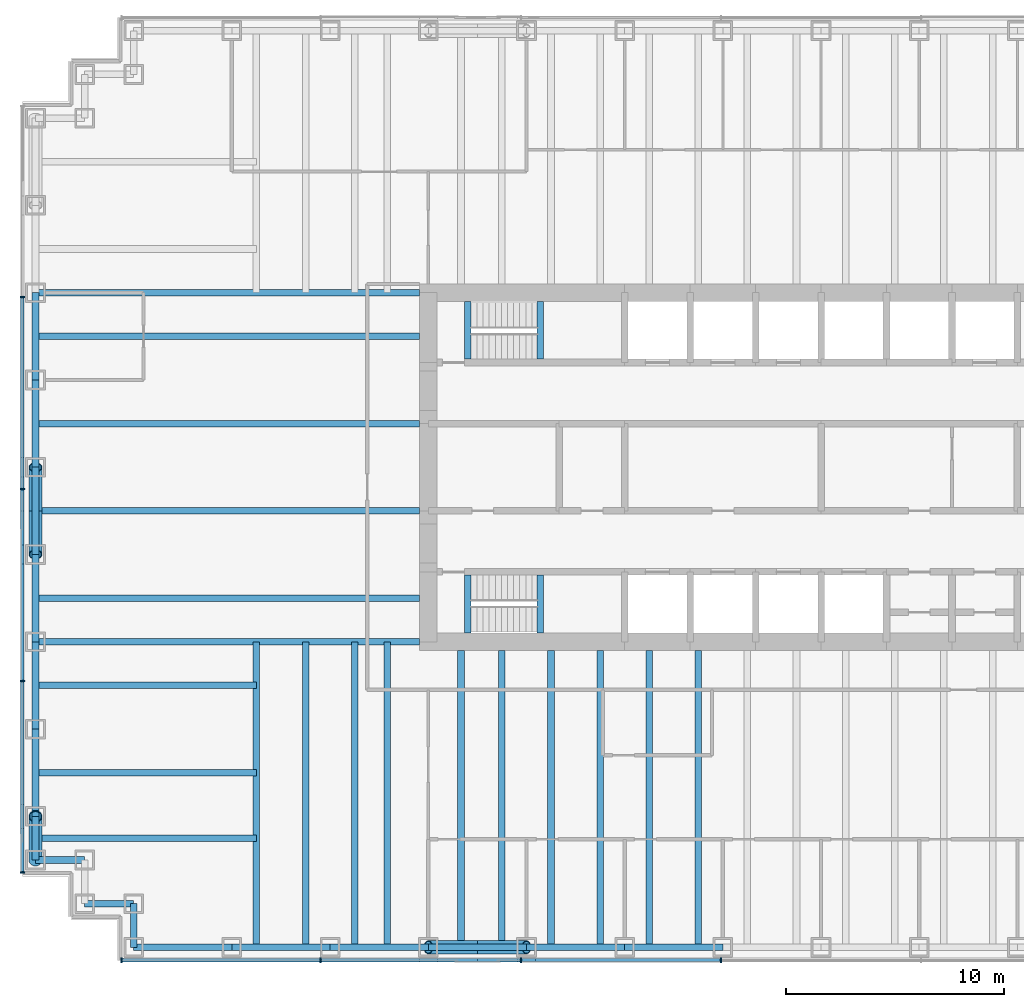
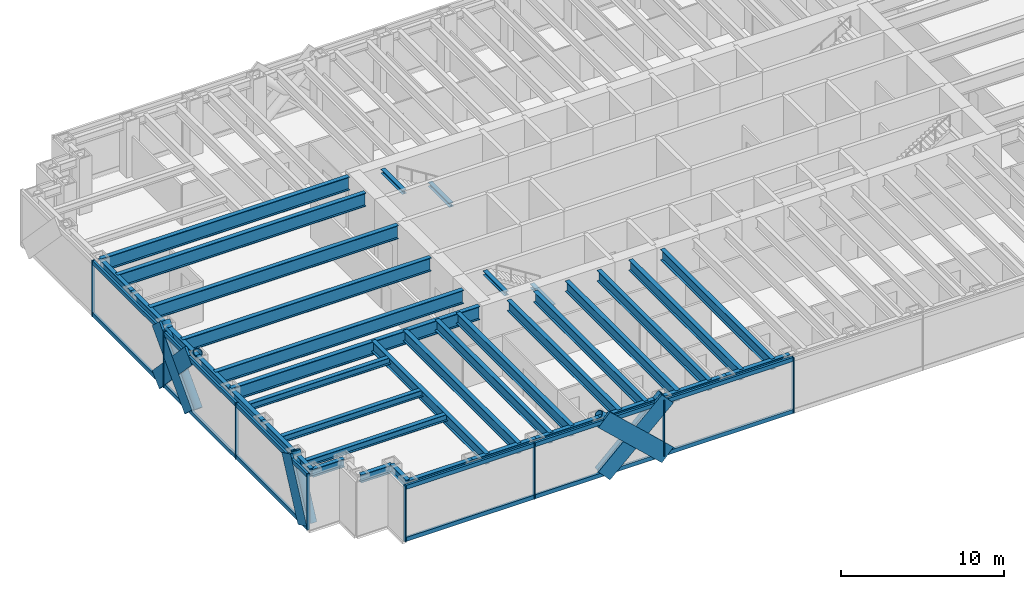
# One storey, part 2 of 14: 39 beams, 30 members, 2 elements without a shape of their own.
"""IFC4 building model written with IfcOpenShell, lengths in metres."""

from ifc_helpers import new_model, si_unit, direction, frame, origin, origin_2d, place, context, subcontext, project, spatial, rectangle, hollow_circle, i_section, extrude, material, material_profile, profile_set, type_object, element, aggregate, save


model = new_model("IFC4")

# Units and contexts
model_context = context("Model", 3, precision=1e-05, world=origin(), true_north=direction((0.0, 1.0)))
body_context = subcontext(model_context, "Body", "Model", "MODEL_VIEW")
ifc_project = project(units=[si_unit("LENGTHUNIT", "METRE"), si_unit("AREAUNIT", "SQUARE_METRE"), si_unit("VOLUMEUNIT", "CUBIC_METRE"), si_unit("PLANEANGLEUNIT", "RADIAN"), si_unit("MASSUNIT", "GRAM", prefix="KILO")], contexts=[model_context])

# Site, building, storey
site_placement = place(None, origin())
site = spatial("IfcSite", under=ifc_project, at=site_placement, CompositionType="ELEMENT")
building_placement = place(site_placement, origin())
building = spatial("IfcBuilding", under=site, at=building_placement, Name="Rheinbord Bourse Tower", CompositionType="ELEMENT")
storey_placement = place(building_placement, frame((0.0, 0.0, 198.39990234375)))
storey = spatial("IfcBuildingStorey", under=building, at=storey_placement, Name="L44", CompositionType="ELEMENT", Elevation=198.39990234375)

# Curtain wall, members
ifc_material_1 = material(Name="Dark glass and black aluminium", Category="aluminium")
curtain_wall_type = type_object("IfcCurtainWallType", Name="CW2 DARK GLASS CURTAIN WALL", PredefinedType="USERDEFINED", material=ifc_material_1)
curtain_wall_1_placement = place(storey_placement, origin())
curtain_wall_1 = element("IfcCurtainWall", 1, at=curtain_wall_1_placement, inside=storey, type_object=curtain_wall_type, Name="Curtain wall CW2 S L44", ObjectType="UNITISED CURTAIN WALL", PredefinedType="USERDEFINED")
ifc_material_2 = material(Name="Black anodised aluminium", Category="aluminium")
ifc_material_profile_1 = material_profile(ifc_material_2, rectangle(XDim=0.159912109375, YDim=1.2099609375, at=origin_2d()), Name="CW2 DIAGONAL MULLION 1210x160")
ifc_profile_set_1 = profile_set([ifc_material_profile_1], Name="Black anodised aluminium")
member_type_1 = type_object("IfcMemberType", Name="CW2 BLACK DIAGONAL MULLION", PredefinedType="USERDEFINED", material=ifc_profile_set_1)
member_1_placement = place(storey_placement, frame((18.0, 1.39990234375, 0.0), z_axis=(0.731039441158, 0.0, 0.682335207557), x_axis=(0.0, 1.0, 0.0)))
member_1 = element("IfcMember", 2, at=member_1_placement, type_object=member_type_1, Name="CW2 diagonal mullion b", ObjectType="DIAGONAL MULLION", PredefinedType="USERDEFINED", context=body_context, shape_type="SweptSolid", body=[
    extrude(rectangle(XDim=0.159912109375, YDim=1.2099609375, at=origin_2d()), origin(), (0.0, 0.0, 1.0), 6.155517578125),
])
member_2_placement = place(storey_placement, frame((22.5, 1.39990234375, 0.0), z_axis=(-0.731039441158, 0.0, 0.682335207557), x_axis=(0.0, -1.0, 0.0)))
member_2 = element("IfcMember", 3, at=member_2_placement, type_object=member_type_1, Name="CW2 diagonal mullion c", ObjectType="DIAGONAL MULLION", PredefinedType="USERDEFINED", context=body_context, shape_type="SweptSolid", body=[
    extrude(rectangle(XDim=0.159912109375, YDim=1.2099609375, at=origin_2d()), origin(), (0.0, 0.0, 1.0), 6.155517578125),
])

curtain_wall_2_placement = place(storey_placement, origin())
curtain_wall_2 = element("IfcCurtainWall", 4, at=curtain_wall_2_placement, inside=storey, type_object=curtain_wall_type, Name="Curtain wall CW2 W L44", ObjectType="UNITISED CURTAIN WALL", PredefinedType="USERDEFINED")
member_3_placement = place(storey_placement, frame((-0.60009765625, 6.0, 0.0), z_axis=(0.0, 0.429917283348, 0.902868279141), x_axis=(-1.0, 0.0, 0.0)))
member_3 = element("IfcMember", 5, at=member_3_placement, type_object=member_type_1, Name="CW2 diagonal mullion b", ObjectType="DIAGONAL MULLION", PredefinedType="USERDEFINED", context=body_context, shape_type="SweptSolid", body=[
    extrude(rectangle(XDim=0.159912109375, YDim=1.2099609375, at=origin_2d()), origin(), (0.0, 0.0, 1.0), 4.652099609375),
])
member_4_placement = place(storey_placement, frame((-0.60009765625, 24.0, 0.0), z_axis=(0.0, -0.689638355374, 0.72415394689), x_axis=(1.0, 0.0, 0.0)))
member_4 = element("IfcMember", 6, at=member_4_placement, type_object=member_type_1, Name="CW2 diagonal mullion c", ObjectType="DIAGONAL MULLION", PredefinedType="USERDEFINED", context=body_context, shape_type="SweptSolid", body=[
    extrude(rectangle(XDim=0.159912109375, YDim=1.2099609375, at=origin_2d()), origin(), (0.0, 0.0, 1.0), 5.800048828125),
])
member_5_placement = place(storey_placement, frame((-0.60009765625, 20.0, 0.0), z_axis=(0.0, 0.689638355374, 0.72415394689), x_axis=(-1.0, 0.0, 0.0)))
member_5 = element("IfcMember", 7, at=member_5_placement, type_object=member_type_1, Name="CW2 diagonal mullion d", ObjectType="DIAGONAL MULLION", PredefinedType="USERDEFINED", context=body_context, shape_type="SweptSolid", body=[
    extrude(rectangle(XDim=0.159912109375, YDim=1.2099609375, at=origin_2d()), origin(), (0.0, 0.0, 1.0), 5.800048828125),
])

# Member
ifc_material_3 = material(Name="Black anodised aluminium", Category="aluminium")
ifc_material_profile_2 = material_profile(ifc_material_3, rectangle(XDim=0.219970703125, YDim=0.070068359375, at=origin_2d()), Name="CW2 MULLION 70x220")
ifc_profile_set_2 = profile_set([ifc_material_profile_2], Name="Black anodised aluminium")
member_type_2 = type_object("IfcMemberType", Name="CW2 BLACK MULLION", PredefinedType="MULLION", material=ifc_profile_set_2)
member_6_placement = place(storey_placement, frame((3.93505859375, 1.39990234375, 0.0), z_axis=(0.0, 0.0, 1.0), x_axis=(0.0, 1.0, 0.0)))
member_6 = element("IfcMember", 8, at=member_6_placement, type_object=member_type_2, Name="CW2 mullion 1", PredefinedType="MULLION", context=body_context, shape_type="SweptSolid", body=[
    extrude(rectangle(XDim=0.219970703125, YDim=0.070068359375, at=origin_2d()), origin(), (0.0, 0.0, 1.0), 4.2001953125),
])

member_7_placement = place(storey_placement, frame((13.071533203125, 1.39990234375, 0.0), z_axis=(0.0, 0.0, 1.0), x_axis=(0.0, 1.0, 0.0)))
member_7 = element("IfcMember", 9, at=member_7_placement, type_object=member_type_2, Name="CW2 mullion 2", PredefinedType="MULLION", context=body_context, shape_type="SweptSolid", body=[
    extrude(rectangle(XDim=0.219970703125, YDim=0.070068359375, at=origin_2d()), origin(), (0.0, 0.0, 1.0), 4.2001953125),
])

member_8_placement = place(storey_placement, frame((22.242919921875, 1.39990234375, 0.0), z_axis=(0.0, 0.0, 1.0), x_axis=(0.0, 1.0, 0.0)))
member_8 = element("IfcMember", 10, at=member_8_placement, type_object=member_type_2, Name="CW2 mullion 3", PredefinedType="MULLION", context=body_context, shape_type="SweptSolid", body=[
    extrude(rectangle(XDim=0.219970703125, YDim=0.070068359375, at=origin_2d()), origin(), (0.0, 0.0, 1.0), 4.2001953125),
])

member_9_placement = place(storey_placement, frame((31.414306640625, 1.39990234375, 0.0), z_axis=(0.0, 0.0, 1.0), x_axis=(0.0, 1.0, 0.0)))
member_9 = element("IfcMember", 11, at=member_9_placement, type_object=member_type_2, Name="CW2 mullion 4", PredefinedType="MULLION", context=body_context, shape_type="SweptSolid", body=[
    extrude(rectangle(XDim=0.219970703125, YDim=0.070068359375, at=origin_2d()), origin(), (0.0, 0.0, 1.0), 4.2001953125),
])

member_10_placement = place(storey_placement, frame((-0.60009765625, 31.800048828125, 0.0), z_axis=(0.0, 0.0, 1.0), x_axis=(1.0, 0.0, 0.0)))
member_10 = element("IfcMember", 12, at=member_10_placement, type_object=member_type_2, Name="CW2 mullion 2", PredefinedType="MULLION", context=body_context, shape_type="SweptSolid", body=[
    extrude(rectangle(XDim=0.219970703125, YDim=0.070068359375, at=origin_2d()), origin(), (0.0, 0.0, 1.0), 4.2001953125),
])

member_11_placement = place(storey_placement, frame((-0.60009765625, 23.0, 0.0), z_axis=(0.0, 0.0, 1.0), x_axis=(1.0, 0.0, 0.0)))
member_11 = element("IfcMember", 13, at=member_11_placement, type_object=member_type_2, Name="CW2 mullion 3", PredefinedType="MULLION", context=body_context, shape_type="SweptSolid", body=[
    extrude(rectangle(XDim=0.219970703125, YDim=0.070068359375, at=origin_2d()), origin(), (0.0, 0.0, 1.0), 4.2001953125),
])

member_12_placement = place(storey_placement, frame((-0.60009765625, 14.199951171875, 0.0), z_axis=(0.0, 0.0, 1.0), x_axis=(1.0, 0.0, 0.0)))
member_12 = element("IfcMember", 14, at=member_12_placement, type_object=member_type_2, Name="CW2 mullion 4", PredefinedType="MULLION", context=body_context, shape_type="SweptSolid", body=[
    extrude(rectangle(XDim=0.219970703125, YDim=0.070068359375, at=origin_2d()), origin(), (0.0, 0.0, 1.0), 4.2001953125),
])

member_13_placement = place(storey_placement, frame((-0.60009765625, 5.43505859375, 0.0), z_axis=(0.0, 0.0, 1.0), x_axis=(1.0, 0.0, 0.0)))
member_13 = element("IfcMember", 15, at=member_13_placement, type_object=member_type_2, Name="CW2 mullion 5", PredefinedType="MULLION", context=body_context, shape_type="SweptSolid", body=[
    extrude(rectangle(XDim=0.219970703125, YDim=0.070068359375, at=origin_2d()), origin(), (0.0, 0.0, 1.0), 4.2001953125),
])

ifc_material_4 = material(Name="Black anodised aluminium", Category="aluminium")
ifc_material_profile_3 = material_profile(ifc_material_4, rectangle(XDim=0.159912109375, YDim=0.300048828125, at=origin_2d()), Name="CW2 TRANSOM 300x160")
ifc_profile_set_3 = profile_set([ifc_material_profile_3], Name="Black anodised aluminium")
member_type_3 = type_object("IfcMemberType", Name="CW2 BLACK TRANSOM", PredefinedType="USERDEFINED", material=ifc_profile_set_3)
member_14_placement = place(storey_placement, frame((3.969970703125, 1.39990234375, 0.150146484375), z_axis=(1.0, 0.0, 0.0), x_axis=(0.0, 1.0, 0.0)))
member_14 = element("IfcMember", 16, at=member_14_placement, type_object=member_type_3, Name="CW2 transom 1.1", ObjectType="TRANSOM", PredefinedType="USERDEFINED", context=body_context, shape_type="SweptSolid", body=[
    extrude(rectangle(XDim=0.159912109375, YDim=0.300048828125, at=origin_2d()), origin(), (0.0, 0.0, 1.0), 9.06640625),
])

member_15_placement = place(storey_placement, frame((3.969970703125, 1.39990234375, 4.050048828125), z_axis=(1.0, 0.0, 0.0), x_axis=(0.0, 1.0, 0.0)))
member_15 = element("IfcMember", 17, at=member_15_placement, type_object=member_type_3, Name="CW2 transom 1.2", ObjectType="TRANSOM", PredefinedType="USERDEFINED", context=body_context, shape_type="SweptSolid", body=[
    extrude(rectangle(XDim=0.159912109375, YDim=0.300048828125, at=origin_2d()), origin(), (0.0, 0.0, 1.0), 9.06640625),
])

member_16_placement = place(storey_placement, frame((13.1064453125, 1.39990234375, 0.150146484375), z_axis=(1.0, 0.0, 0.0), x_axis=(0.0, 1.0, 0.0)))
member_16 = element("IfcMember", 18, at=member_16_placement, type_object=member_type_3, Name="CW2 transom 2.1", ObjectType="TRANSOM", PredefinedType="USERDEFINED", context=body_context, shape_type="SweptSolid", body=[
    extrude(rectangle(XDim=0.159912109375, YDim=0.300048828125, at=origin_2d()), origin(), (0.0, 0.0, 1.0), 9.101318359375),
])

member_17_placement = place(storey_placement, frame((13.1064453125, 1.39990234375, 4.050048828125), z_axis=(1.0, 0.0, 0.0), x_axis=(0.0, 1.0, 0.0)))
member_17 = element("IfcMember", 19, at=member_17_placement, type_object=member_type_3, Name="CW2 transom 2.2", ObjectType="TRANSOM", PredefinedType="USERDEFINED", context=body_context, shape_type="SweptSolid", body=[
    extrude(rectangle(XDim=0.159912109375, YDim=0.300048828125, at=origin_2d()), origin(), (0.0, 0.0, 1.0), 9.101318359375),
])

member_18_placement = place(storey_placement, frame((22.27783203125, 1.39990234375, 0.150146484375), z_axis=(1.0, 0.0, 0.0), x_axis=(0.0, 1.0, 0.0)))
member_18 = element("IfcMember", 20, at=member_18_placement, type_object=member_type_3, Name="CW2 transom 3.1", ObjectType="TRANSOM", PredefinedType="USERDEFINED", context=body_context, shape_type="SweptSolid", body=[
    extrude(rectangle(XDim=0.159912109375, YDim=0.300048828125, at=origin_2d()), origin(), (0.0, 0.0, 1.0), 9.1015625),
])

member_19_placement = place(storey_placement, frame((22.27783203125, 1.39990234375, 4.050048828125), z_axis=(1.0, 0.0, 0.0), x_axis=(0.0, 1.0, 0.0)))
member_19 = element("IfcMember", 21, at=member_19_placement, type_object=member_type_3, Name="CW2 transom 3.2", ObjectType="TRANSOM", PredefinedType="USERDEFINED", context=body_context, shape_type="SweptSolid", body=[
    extrude(rectangle(XDim=0.159912109375, YDim=0.300048828125, at=origin_2d()), origin(), (0.0, 0.0, 1.0), 9.1015625),
])

aggregate(curtain_wall_1, [member_6, member_7, member_8, member_9, member_14, member_15, member_16, member_17, member_18, member_19, member_1, member_2])

member_20_placement = place(storey_placement, frame((-0.60009765625, 31.764892578125, 0.150146484375), z_axis=(0.0, -1.0, 0.0), x_axis=(1.0, 0.0, 0.0)))
member_20 = element("IfcMember", 22, at=member_20_placement, type_object=member_type_3, Name="CW2 transom 2.1", ObjectType="TRANSOM", PredefinedType="USERDEFINED", context=body_context, shape_type="SweptSolid", body=[
    extrude(rectangle(XDim=0.159912109375, YDim=0.300048828125, at=origin_2d()), origin(), (0.0, 0.0, 1.0), 8.72998046875),
])

member_21_placement = place(storey_placement, frame((-0.60009765625, 31.764892578125, 4.050048828125), z_axis=(0.0, -1.0, 0.0), x_axis=(1.0, 0.0, 0.0)))
member_21 = element("IfcMember", 23, at=member_21_placement, type_object=member_type_3, Name="CW2 transom 2.2", ObjectType="TRANSOM", PredefinedType="USERDEFINED", context=body_context, shape_type="SweptSolid", body=[
    extrude(rectangle(XDim=0.159912109375, YDim=0.300048828125, at=origin_2d()), origin(), (0.0, 0.0, 1.0), 8.72998046875),
])

member_22_placement = place(storey_placement, frame((-0.60009765625, 22.965087890625, 0.150146484375), z_axis=(0.0, -1.0, 0.0), x_axis=(1.0, 0.0, 0.0)))
member_22 = element("IfcMember", 24, at=member_22_placement, type_object=member_type_3, Name="CW2 transom 3.1", ObjectType="TRANSOM", PredefinedType="USERDEFINED", context=body_context, shape_type="SweptSolid", body=[
    extrude(rectangle(XDim=0.159912109375, YDim=0.300048828125, at=origin_2d()), origin(), (0.0, 0.0, 1.0), 8.72998046875),
])

member_23_placement = place(storey_placement, frame((-0.60009765625, 22.965087890625, 4.050048828125), z_axis=(0.0, -1.0, 0.0), x_axis=(1.0, 0.0, 0.0)))
member_23 = element("IfcMember", 25, at=member_23_placement, type_object=member_type_3, Name="CW2 transom 3.2", ObjectType="TRANSOM", PredefinedType="USERDEFINED", context=body_context, shape_type="SweptSolid", body=[
    extrude(rectangle(XDim=0.159912109375, YDim=0.300048828125, at=origin_2d()), origin(), (0.0, 0.0, 1.0), 8.72998046875),
])

member_24_placement = place(storey_placement, frame((-0.60009765625, 14.1650390625, 0.150146484375), z_axis=(0.0, -1.0, 0.0), x_axis=(1.0, 0.0, 0.0)))
member_24 = element("IfcMember", 26, at=member_24_placement, type_object=member_type_3, Name="CW2 transom 4.1", ObjectType="TRANSOM", PredefinedType="USERDEFINED", context=body_context, shape_type="SweptSolid", body=[
    extrude(rectangle(XDim=0.159912109375, YDim=0.300048828125, at=origin_2d()), origin(), (0.0, 0.0, 1.0), 8.695068359375),
])

member_25_placement = place(storey_placement, frame((-0.60009765625, 14.1650390625, 4.050048828125), z_axis=(0.0, -1.0, 0.0), x_axis=(1.0, 0.0, 0.0)))
member_25 = element("IfcMember", 27, at=member_25_placement, type_object=member_type_3, Name="CW2 transom 4.2", ObjectType="TRANSOM", PredefinedType="USERDEFINED", context=body_context, shape_type="SweptSolid", body=[
    extrude(rectangle(XDim=0.159912109375, YDim=0.300048828125, at=origin_2d()), origin(), (0.0, 0.0, 1.0), 8.695068359375),
])

aggregate(curtain_wall_2, [member_10, member_11, member_12, member_13, member_20, member_21, member_22, member_23, member_24, member_25, member_3, member_4, member_5])

# Beams
ifc_material_5 = material(Name="Steel S460", Category="steel")
ifc_material_profile_4 = material_profile(ifc_material_5, i_section(OverallWidth=0.302001953125, OverallDepth=1.008056640625, WebThickness=0.02099609375, FlangeThickness=0.0400390625, at=origin_2d()), Name="HEM 1000")
ifc_profile_set_4 = profile_set([ifc_material_profile_4], Name="Steel S460")
beam_type_1 = type_object("IfcBeamType", Name="END BEAM HEM 1000", PredefinedType="BEAM", material=ifc_profile_set_4)
for number, where, z_axis, x_axis, name in (
    (28, (0.0, 18.0, 3.5361328125), (1.0, 0.0, 0.0), (0.0, 1.0, 0.0), "End beam west 18 L45"),
    (29, (0.0, 22.0, 3.5361328125), (1.0, 0.0, 0.0), (0.0, 1.0, 0.0), "End beam west 22 L45"),
    (30, (0.0, 26.0, 3.5361328125), (1.0, 0.0, 0.0), (0.0, 1.0, 0.0), "End beam west 26 L45"),
    (31, (0.0, 30.0, 3.5361328125), (1.0, 0.0, 0.0), (0.0, 1.0, 0.0), "End beam west 30 L45"),
):
    element("IfcBeam", number, at=place(storey_placement, frame(where, z_axis=z_axis, x_axis=x_axis)), inside=storey, type_object=beam_type_1, Name=name, PredefinedType="BEAM", context=body_context, shape_type="SweptSolid", body=[
        extrude(i_section(OverallWidth=0.302001953125, OverallDepth=1.008056640625, WebThickness=0.02099609375, FlangeThickness=0.0400390625, at=origin_2d()), origin(), (0.0, 0.0, 1.0), 17.60009765625),
    ])
ifc_material_6 = material(Name="Steel S460", Category="steel")
ifc_material_profile_5 = material_profile(ifc_material_6, i_section(OverallWidth=0.300048828125, OverallDepth=0.800048828125, WebThickness=0.017578125, FlangeThickness=0.032958984375, at=origin_2d()), Name="HEB 800")
ifc_profile_set_5 = profile_set([ifc_material_profile_5], Name="Steel S460")
beam_type_2 = type_object("IfcBeamType", Name="FLOOR BEAM HEB 800", PredefinedType="BEAM", material=ifc_profile_set_5)
for number, where, z_axis, x_axis, name in (
    (32, (10.125, 2.0, 3.64013671875), (0.0, 1.0, 0.0), (-1.0, 0.0, 0.0), "Floor beam S-9a L45"),
    (33, (12.375, 2.0, 3.64013671875), (0.0, 1.0, 0.0), (-1.0, 0.0, 0.0), "Floor beam S-9b L45"),
    (34, (14.625, 2.0, 3.64013671875), (0.0, 1.0, 0.0), (-1.0, 0.0, 0.0), "Floor beam S-13.5a L45"),
    (35, (16.125, 2.0, 3.64013671875), (0.0, 1.0, 0.0), (-1.0, 0.0, 0.0), "Floor beam S-13.5b L45"),
):
    element("IfcBeam", number, at=place(storey_placement, frame(where, z_axis=z_axis, x_axis=x_axis)), inside=storey, type_object=beam_type_2, Name=name, PredefinedType="BEAM", context=body_context, shape_type="SweptSolid", body=[
        extrude(i_section(OverallWidth=0.300048828125, OverallDepth=0.800048828125, WebThickness=0.017578125, FlangeThickness=0.032958984375, at=origin_2d()), origin(), (0.0, 0.0, 1.0), 14.0),
    ])
for number, where, z_axis, x_axis, name in (
    (36, (19.5, 2.0, 3.64013671875), (0.0, 1.0, 0.0), (-1.0, 0.0, 0.0), "Floor beam S-18a L45"),
    (37, (21.375, 2.0, 3.64013671875), (0.0, 1.0, 0.0), (-1.0, 0.0, 0.0), "Floor beam S-18b L45"),
    (38, (23.625, 2.0, 3.64013671875), (0.0, 1.0, 0.0), (-1.0, 0.0, 0.0), "Floor beam S-22.5a L45"),
    (39, (25.875, 2.0, 3.64013671875), (0.0, 1.0, 0.0), (-1.0, 0.0, 0.0), "Floor beam S-22.5b L45"),
    (40, (28.125, 2.0, 3.64013671875), (0.0, 1.0, 0.0), (-1.0, 0.0, 0.0), "Floor beam S-27a L45"),
    (41, (30.375, 2.0, 3.64013671875), (0.0, 1.0, 0.0), (-1.0, 0.0, 0.0), "Floor beam S-27b L45"),
):
    element("IfcBeam", number, at=place(storey_placement, frame(where, z_axis=z_axis, x_axis=x_axis)), inside=storey, type_object=beam_type_2, Name=name, PredefinedType="BEAM", context=body_context, shape_type="SweptSolid", body=[
        extrude(i_section(OverallWidth=0.300048828125, OverallDepth=0.800048828125, WebThickness=0.017578125, FlangeThickness=0.032958984375, at=origin_2d()), origin(), (0.0, 0.0, 1.0), 13.60009765625),
    ])
ifc_material_7 = material(Name="Steel S460", Category="steel")
ifc_material_profile_6 = material_profile(ifc_material_7, i_section(OverallWidth=0.302001953125, OverallDepth=1.008056640625, WebThickness=0.02099609375, FlangeThickness=0.0400390625, at=origin_2d()), Name="HEM 1000")
ifc_profile_set_6 = profile_set([ifc_material_profile_6], Name="Steel S460")
beam_type_3 = type_object("IfcBeamType", Name="GIRDER HEM 1000", PredefinedType="BEAM", material=ifc_profile_set_6)
for number, where, z_axis, x_axis, name in (
    (42, (0.0, 16.0, 3.5361328125), (1.0, 0.0, 0.0), (0.0, 1.0, 0.0), "Girder west 16 L45"),
    (43, (0.0, 32.0, 3.5361328125), (1.0, 0.0, 0.0), (0.0, 1.0, 0.0), "Girder west 32 L45"),
):
    element("IfcBeam", number, at=place(storey_placement, frame(where, z_axis=z_axis, x_axis=x_axis)), inside=storey, type_object=beam_type_3, Name=name, PredefinedType="BEAM", context=body_context, shape_type="SweptSolid", body=[
        extrude(i_section(OverallWidth=0.302001953125, OverallDepth=1.008056640625, WebThickness=0.02099609375, FlangeThickness=0.0400390625, at=origin_2d()), origin(), (0.0, 0.0, 1.0), 17.60009765625),
    ])
ifc_material_8 = material(Name="Steel S460", Category="steel")
ifc_material_profile_7 = material_profile(ifc_material_8, i_section(OverallWidth=0.300048828125, OverallDepth=0.300048828125, WebThickness=0.010986328125, FlangeThickness=0.01904296875, at=origin_2d()), Name="HEB 300")
ifc_profile_set_7 = profile_set([ifc_material_profile_7], Name="Steel S460")
beam_type_4 = type_object("IfcBeamType", Name="LANDING TRIMMER HEB 300", PredefinedType="BEAM", material=ifc_profile_set_7)
for number, where, z_axis, x_axis, name in (
    (44, (23.1298828125, 16.39990234375, 1.75), (0.0, 1.0, 0.0), (-1.0, 0.0, 0.0), "Landing trimmer ST1 L44"),
    (45, (19.800048828125, 16.39990234375, 3.89013671875), (0.0, 1.0, 0.0), (-1.0, 0.0, 0.0), "Well trimmer ST1 under L45"),
    (46, (23.1298828125, 28.949951171875, 1.75), (0.0, 1.0, 0.0), (-1.0, 0.0, 0.0), "Landing trimmer ST2 L44"),
    (47, (19.800048828125, 28.949951171875, 3.89013671875), (0.0, 1.0, 0.0), (-1.0, 0.0, 0.0), "Well trimmer ST2 under L45"),
):
    element("IfcBeam", number, at=place(storey_placement, frame(where, z_axis=z_axis, x_axis=x_axis)), inside=storey, type_object=beam_type_4, Name=name, PredefinedType="BEAM", context=body_context, shape_type="SweptSolid", body=[
        extrude(i_section(OverallWidth=0.300048828125, OverallDepth=0.300048828125, WebThickness=0.010986328125, FlangeThickness=0.01904296875, at=origin_2d()), origin(), (0.0, 0.0, 1.0), 2.650146484375),
    ])

# Members
ifc_material_9 = material(Name="Steel S460", Category="steel")
ifc_material_profile_8 = material_profile(ifc_material_9, hollow_circle(Radius=0.304931640625, WallThickness=0.0400390625, at=origin_2d()), Name="CHS 610x40")
ifc_profile_set_8 = profile_set([ifc_material_profile_8], Name="Steel S460")
member_type_4 = type_object("IfcMemberType", Name="MEGABRACE CHS 610x40", PredefinedType="BRACE", material=ifc_profile_set_8)
for number, where, z_axis, x_axis, name in (
    (48, (18.0, 2.0, 0.0), (0.731039441158, 0.0, 0.682335207557), (0.0, 1.0, 0.0), "Megabrace S face line b L44"),
    (49, (22.5, 2.0, 0.0), (-0.731039441158, 0.0, 0.682335207557), (0.0, -1.0, 0.0), "Megabrace S face line c L44"),
):
    element("IfcMember", number, at=place(storey_placement, frame(where, z_axis=z_axis, x_axis=x_axis)), inside=storey, type_object=member_type_4, Name=name, PredefinedType="BRACE", context=body_context, shape_type="SweptSolid", body=[
        extrude(hollow_circle(Radius=0.304931640625, WallThickness=0.0400390625, at=origin_2d()), origin(), (0.0, 0.0, 1.0), 6.155517578125),
    ])
member_26_placement = place(storey_placement, frame((0.0, 6.0, 0.0), z_axis=(0.0, 0.429917283348, 0.902868279141), x_axis=(-1.0, 0.0, 0.0)))
element("IfcMember", 50, at=member_26_placement, inside=storey, type_object=member_type_4, Name="Megabrace W face line b L44", PredefinedType="BRACE", context=body_context, shape_type="SweptSolid", body=[
    extrude(hollow_circle(Radius=0.304931640625, WallThickness=0.0400390625, at=origin_2d()), origin(), (0.0, 0.0, 1.0), 4.652099609375),
])
for number, where, z_axis, x_axis, name in (
    (51, (0.0, 24.0, 0.0), (0.0, -0.689638355374, 0.72415394689), (1.0, 0.0, 0.0), "Megabrace W face line c L44"),
    (52, (0.0, 20.0, 0.0), (0.0, 0.689638355374, 0.72415394689), (-1.0, 0.0, 0.0), "Megabrace W face line d L44"),
):
    element("IfcMember", number, at=place(storey_placement, frame(where, z_axis=z_axis, x_axis=x_axis)), inside=storey, type_object=member_type_4, Name=name, PredefinedType="BRACE", context=body_context, shape_type="SweptSolid", body=[
        extrude(hollow_circle(Radius=0.304931640625, WallThickness=0.0400390625, at=origin_2d()), origin(), (0.0, 0.0, 1.0), 5.800048828125),
    ])

# Beams
ifc_material_10 = material(Name="Steel S460", Category="steel")
ifc_material_profile_9 = material_profile(ifc_material_10, i_section(OverallWidth=0.300048828125, OverallDepth=0.60009765625, WebThickness=0.015380859375, FlangeThickness=0.030029296875, at=origin_2d()), Name="HEB 600")
ifc_profile_set_9 = profile_set([ifc_material_profile_9], Name="Steel S460")
beam_type_5 = type_object("IfcBeamType", Name="SPANDREL HEB 600", PredefinedType="SPANDREL", material=ifc_profile_set_9)
for number, where, z_axis, x_axis, name in (
    (53, (4.5, 2.0, 3.739990234375), (1.0, 0.0, 0.0), (0.0, 1.0, 0.0), "Spandrel SW-E-S-9 under L45"),
    (54, (9.0, 2.0, 3.739990234375), (1.0, 0.0, 0.0), (0.0, 1.0, 0.0), "Spandrel S-9-S-13.5 under L45"),
    (55, (13.5, 2.0, 3.739990234375), (1.0, 0.0, 0.0), (0.0, 1.0, 0.0), "Spandrel S-13.5-S-18 under L45"),
    (56, (18.0, 2.0, 3.739990234375), (1.0, 0.0, 0.0), (0.0, 1.0, 0.0), "Spandrel S-18-S-22.5 under L45"),
    (57, (22.5, 2.0, 3.739990234375), (1.0, 0.0, 0.0), (0.0, 1.0, 0.0), "Spandrel S-22.5-S-27 under L45"),
    (58, (27.0, 2.0, 3.739990234375), (1.0, 0.0, 0.0), (0.0, 1.0, 0.0), "Spandrel S-27-S-31.5 under L45"),
):
    element("IfcBeam", number, at=place(storey_placement, frame(where, z_axis=z_axis, x_axis=x_axis)), inside=storey, type_object=beam_type_5, Name=name, PredefinedType="SPANDREL", context=body_context, shape_type="SweptSolid", body=[
        extrude(i_section(OverallWidth=0.300048828125, OverallDepth=0.60009765625, WebThickness=0.015380859375, FlangeThickness=0.030029296875, at=origin_2d()), origin(), (0.0, 0.0, 1.0), 4.5),
    ])
for number, where, z_axis, x_axis, name in (
    (59, (0.0, 32.0, 3.739990234375), (0.0, -1.0, 0.0), (1.0, 0.0, 0.0), "Spandrel W-32-W-28 under L45"),
    (60, (0.0, 28.0, 3.739990234375), (0.0, -1.0, 0.0), (1.0, 0.0, 0.0), "Spandrel W-28-W-24 under L45"),
    (61, (0.0, 24.0, 3.739990234375), (0.0, -1.0, 0.0), (1.0, 0.0, 0.0), "Spandrel W-24-W-20 under L45"),
    (62, (0.0, 20.0, 3.739990234375), (0.0, -1.0, 0.0), (1.0, 0.0, 0.0), "Spandrel W-20-W-16 under L45"),
    (63, (0.0, 16.0, 3.739990234375), (0.0, -1.0, 0.0), (1.0, 0.0, 0.0), "Spandrel W-16-W-12 under L45"),
    (64, (0.0, 12.0, 3.739990234375), (0.0, -1.0, 0.0), (1.0, 0.0, 0.0), "Spandrel W-12-W-8 under L45"),
):
    element("IfcBeam", number, at=place(storey_placement, frame(where, z_axis=z_axis, x_axis=x_axis)), inside=storey, type_object=beam_type_5, Name=name, PredefinedType="SPANDREL", context=body_context, shape_type="SweptSolid", body=[
        extrude(i_section(OverallWidth=0.300048828125, OverallDepth=0.60009765625, WebThickness=0.015380859375, FlangeThickness=0.030029296875, at=origin_2d()), origin(), (0.0, 0.0, 1.0), 4.0),
    ])
beam_1_placement = place(storey_placement, frame((0.0, 8.0, 3.739990234375), z_axis=(0.0, -1.0, 0.0), x_axis=(1.0, 0.0, 0.0)))
element("IfcBeam", 65, at=beam_1_placement, inside=storey, type_object=beam_type_5, Name="Spandrel W-8-SW-A under L45", PredefinedType="SPANDREL", context=body_context, shape_type="SweptSolid", body=[
    extrude(i_section(OverallWidth=0.300048828125, OverallDepth=0.60009765625, WebThickness=0.015380859375, FlangeThickness=0.030029296875, at=origin_2d()), origin(), (0.0, 0.0, 1.0), 2.0),
])
for number, where, z_axis, x_axis, name in (
    (66, (0.0, 6.0, 3.739990234375), (1.0, 0.0, 0.0), (0.0, 1.0, 0.0), "Spandrel SW-A-SW-B under L45"),
    (67, (2.25, 4.0, 3.739990234375), (1.0, 0.0, 0.0), (0.0, 1.0, 0.0), "Spandrel SW-C-SW-D under L45"),
):
    element("IfcBeam", number, at=place(storey_placement, frame(where, z_axis=z_axis, x_axis=x_axis)), inside=storey, type_object=beam_type_5, Name=name, PredefinedType="SPANDREL", context=body_context, shape_type="SweptSolid", body=[
        extrude(i_section(OverallWidth=0.300048828125, OverallDepth=0.60009765625, WebThickness=0.015380859375, FlangeThickness=0.030029296875, at=origin_2d()), origin(), (0.0, 0.0, 1.0), 2.25),
    ])
beam_2_placement = place(storey_placement, frame((4.5, 4.0, 3.739990234375), z_axis=(0.0, -1.0, 0.0), x_axis=(1.0, 0.0, 0.0)))
element("IfcBeam", 68, at=beam_2_placement, inside=storey, type_object=beam_type_5, Name="Spandrel SW-D-SW-E under L45", PredefinedType="SPANDREL", context=body_context, shape_type="SweptSolid", body=[
    extrude(i_section(OverallWidth=0.300048828125, OverallDepth=0.60009765625, WebThickness=0.015380859375, FlangeThickness=0.030029296875, at=origin_2d()), origin(), (0.0, 0.0, 1.0), 2.0),
])
ifc_material_11 = material(Name="Steel S460", Category="steel")
ifc_material_profile_10 = material_profile(ifc_material_11, i_section(OverallWidth=0.300048828125, OverallDepth=0.5, WebThickness=0.014404296875, FlangeThickness=0.028076171875, at=origin_2d()), Name="HEB 500")
ifc_profile_set_10 = profile_set([ifc_material_profile_10], Name="Steel S460")
beam_type_6 = type_object("IfcBeamType", Name="TIE BEAM HEB 500", PredefinedType="JOIST", material=ifc_profile_set_10)
for number, where, z_axis, x_axis, name in (
    (69, (0.0, 7.0, 3.7900390625), (1.0, 0.0, 0.0), (0.0, 1.0, 0.0), "Tie west 7 L45"),
    (70, (0.0, 10.0, 3.7900390625), (1.0, 0.0, 0.0), (0.0, 1.0, 0.0), "Tie west 10 L45"),
    (71, (0.0, 14.0, 3.7900390625), (1.0, 0.0, 0.0), (0.0, 1.0, 0.0), "Tie west 14 L45"),
):
    element("IfcBeam", number, at=place(storey_placement, frame(where, z_axis=z_axis, x_axis=x_axis)), inside=storey, type_object=beam_type_6, Name=name, PredefinedType="JOIST", context=body_context, shape_type="SweptSolid", body=[
        extrude(i_section(OverallWidth=0.300048828125, OverallDepth=0.5, WebThickness=0.014404296875, FlangeThickness=0.028076171875, at=origin_2d()), origin(), (0.0, 0.0, 1.0), 10.125),
    ])

save(model, "model.ifc")
